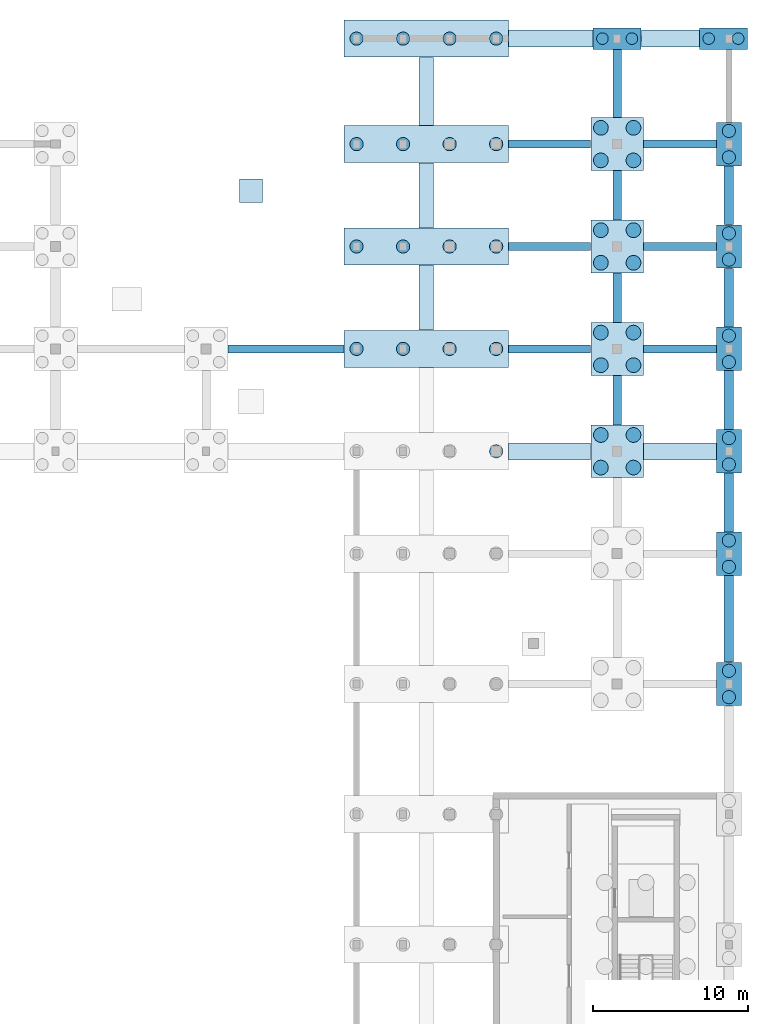
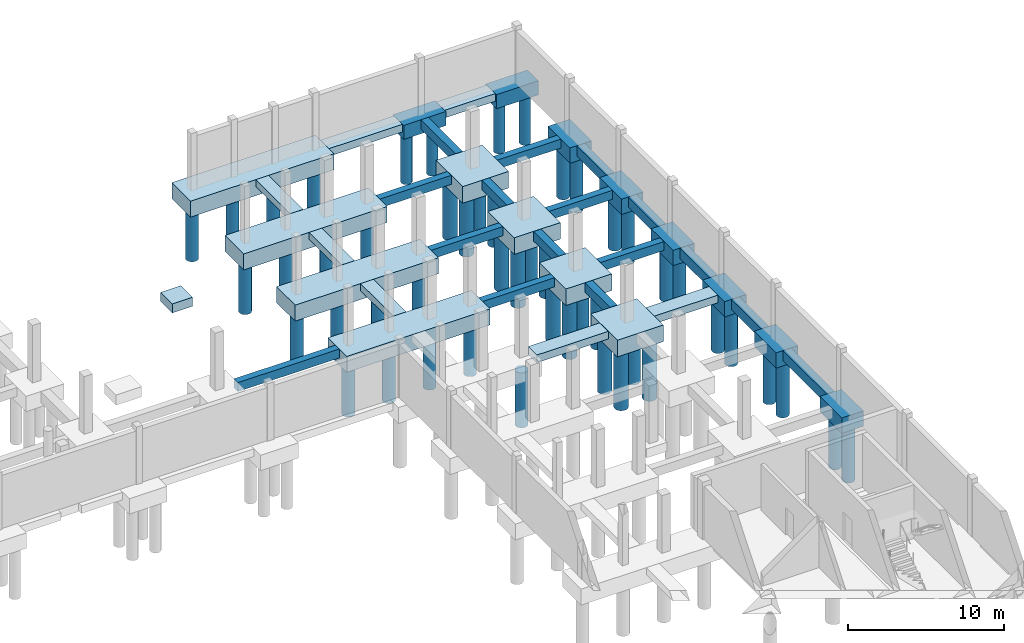
# One storey, part 7 of 21: 49 piles, 40 footings.
"""IFC4 building model written with IfcOpenShell, lengths in metres."""

from ifc_helpers import new_model, si_unit, derived_unit, direction, frame, origin, origin_2d, place, context, subcontext, project, spatial, rectangle, circle, extrude, material, material_profile, profile_set, type_object, element, save


model = new_model("IFC4")

# Units and contexts
model_context = context("Model", 3, precision=1e-05, world=origin(), true_north=direction((0.0, 1.0)))
body_context = subcontext(model_context, "Body", "Model", "MODEL_VIEW")
ifc_project = project(units=[si_unit("LENGTHUNIT", "METRE"), si_unit("AREAUNIT", "SQUARE_METRE"), si_unit("VOLUMEUNIT", "CUBIC_METRE"), si_unit("PLANEANGLEUNIT", "RADIAN"), si_unit("MASSUNIT", "GRAM", prefix="KILO"), derived_unit("THERMALTRANSMITTANCEUNIT", [(si_unit("POWERUNIT", "WATT"), 1), (si_unit("LENGTHUNIT", "METRE"), -2), (si_unit("THERMODYNAMICTEMPERATUREUNIT", "KELVIN"), -1)])], contexts=[model_context])

# Site, building, storey
site_placement = place(None, origin())
site = spatial("IfcSite", under=ifc_project, at=site_placement, CompositionType="ELEMENT")
building_placement = place(site_placement, origin())
building = spatial("IfcBuilding", under=site, at=building_placement, Name="Braskholm Square Health Centre", CompositionType="ELEMENT")
storey_placement = place(building_placement, frame((0.0, 0.0, -4.5)))
storey = spatial("IfcBuildingStorey", under=building, at=storey_placement, Name="B01", CompositionType="ELEMENT", Elevation=-4.5)

# Piles
ifc_material = material(Name="Concrete C40/50 (f'c = 40 MPa)", Category="concrete")
ifc_material_profile_1 = material_profile(ifc_material, circle(Radius=0.375, at=origin_2d()), Name="BORED-PILE-750")
ifc_profile_set_1 = profile_set([ifc_material_profile_1], Name="Concrete C40/50 (f'c = 40 MPa)")
pile_type_1 = type_object("IfcPileType", Name="BoredShaft750", PredefinedType="BORED", material=ifc_profile_set_1)
for number, where, z_axis, x_axis, name in (
    (1, (155.64990234375, 113.800048828125, -1.0), (0.0, 0.0, -1.0), (1.0, 0.0, 0.0), "Rock-socketed shaft 0453"),
    (2, (157.550048828125, 113.800048828125, -1.0), (0.0, 0.0, -1.0), (1.0, 0.0, 0.0), "Rock-socketed shaft 0454"),
    (3, (162.5, 113.800048828125, -1.0), (0.0, 0.0, -1.0), (1.0, 0.0, 0.0), "Rock-socketed shaft 0487"),
    (4, (164.39990234375, 113.800048828125, -1.0), (0.0, 0.0, -1.0), (1.0, 0.0, 0.0), "Rock-socketed shaft 0488"),
):
    element("IfcPile", number, at=place(storey_placement, frame(where, z_axis=z_axis, x_axis=x_axis)), inside=storey, type_object=pile_type_1, Name=name, PredefinedType="BORED", context=body_context, shape_type="SweptSolid", body=[
        extrude(circle(Radius=0.375, at=origin_2d()), origin(), (0.0, 0.0, 1.0), 4.0),
    ])
ifc_material_profile_2 = material_profile(ifc_material, circle(Radius=0.425048828125, at=origin_2d()), Name="BORED-PILE-850")
ifc_profile_set_2 = profile_set([ifc_material_profile_2], Name="Concrete C40/50 (f'c = 40 MPa)")
pile_type_2 = type_object("IfcPileType", Name="BoredShaft850", PredefinedType="BORED", material=ifc_profile_set_2)
for number, where, z_axis, x_axis, name in (
    (5, (148.800048828125, 87.199951171875, -1.14990234375), (0.0, 0.0, -1.0), (1.0, 0.0, 0.0), "Rock-socketed shaft 0152"),
    (6, (139.800048828125, 93.800048828125, -1.14990234375), (0.0, 0.0, -1.0), (1.0, 0.0, 0.0), "Rock-socketed shaft 0153"),
    (7, (142.800048828125, 93.800048828125, -1.14990234375), (0.0, 0.0, -1.0), (1.0, 0.0, 0.0), "Rock-socketed shaft 0154"),
    (8, (145.800048828125, 93.800048828125, -1.14990234375), (0.0, 0.0, -1.0), (1.0, 0.0, 0.0), "Rock-socketed shaft 0155"),
    (9, (148.800048828125, 93.800048828125, -1.14990234375), (0.0, 0.0, -1.0), (1.0, 0.0, 0.0), "Rock-socketed shaft 0156"),
    (10, (139.800048828125, 100.39990234375, -1.14990234375), (0.0, 0.0, -1.0), (1.0, 0.0, 0.0), "Rock-socketed shaft 0157"),
    (11, (142.800048828125, 100.39990234375, -1.14990234375), (0.0, 0.0, -1.0), (1.0, 0.0, 0.0), "Rock-socketed shaft 0158"),
    (12, (145.800048828125, 100.39990234375, -1.14990234375), (0.0, 0.0, -1.0), (1.0, 0.0, 0.0), "Rock-socketed shaft 0159"),
    (13, (148.800048828125, 100.39990234375, -1.14990234375), (0.0, 0.0, -1.0), (1.0, 0.0, 0.0), "Rock-socketed shaft 0160"),
    (14, (139.800048828125, 107.0, -1.14990234375), (0.0, 0.0, -1.0), (1.0, 0.0, 0.0), "Rock-socketed shaft 0161"),
    (15, (142.800048828125, 107.0, -1.14990234375), (0.0, 0.0, -1.0), (1.0, 0.0, 0.0), "Rock-socketed shaft 0162"),
    (16, (145.800048828125, 107.0, -1.14990234375), (0.0, 0.0, -1.0), (1.0, 0.0, 0.0), "Rock-socketed shaft 0163"),
    (17, (148.800048828125, 107.0, -1.14990234375), (0.0, 0.0, -1.0), (1.0, 0.0, 0.0), "Rock-socketed shaft 0164"),
    (18, (139.800048828125, 113.800048828125, -1.14990234375), (0.0, 0.0, -1.0), (1.0, 0.0, 0.0), "Rock-socketed shaft 0165"),
    (19, (142.800048828125, 113.800048828125, -1.14990234375), (0.0, 0.0, -1.0), (1.0, 0.0, 0.0), "Rock-socketed shaft 0166"),
    (20, (145.800048828125, 113.800048828125, -1.14990234375), (0.0, 0.0, -1.0), (1.0, 0.0, 0.0), "Rock-socketed shaft 0167"),
    (21, (148.800048828125, 113.800048828125, -1.14990234375), (0.0, 0.0, -1.0), (1.0, 0.0, 0.0), "Rock-socketed shaft 0168"),
    (22, (163.800048828125, 71.35009765625, -1.10009765625), (0.0, 0.0, -1.0), (1.0, 0.0, 0.0), "Rock-socketed shaft 0475"),
    (23, (163.800048828125, 73.050048828125, -1.10009765625), (0.0, 0.0, -1.0), (1.0, 0.0, 0.0), "Rock-socketed shaft 0476"),
    (24, (163.800048828125, 79.75, -1.10009765625), (0.0, 0.0, -1.0), (1.0, 0.0, 0.0), "Rock-socketed shaft 0477"),
    (25, (163.800048828125, 81.449951171875, -1.10009765625), (0.0, 0.0, -1.0), (1.0, 0.0, 0.0), "Rock-socketed shaft 0478"),
    (26, (163.800048828125, 86.35009765625, -1.10009765625), (0.0, 0.0, -1.0), (1.0, 0.0, 0.0), "Rock-socketed shaft 0479"),
    (27, (163.800048828125, 88.050048828125, -1.10009765625), (0.0, 0.0, -1.0), (1.0, 0.0, 0.0), "Rock-socketed shaft 0480"),
    (28, (163.800048828125, 92.949951171875, -1.10009765625), (0.0, 0.0, -1.0), (1.0, 0.0, 0.0), "Rock-socketed shaft 0481"),
    (29, (163.800048828125, 94.64990234375, -1.10009765625), (0.0, 0.0, -1.0), (1.0, 0.0, 0.0), "Rock-socketed shaft 0482"),
    (30, (163.800048828125, 99.550048828125, -1.10009765625), (0.0, 0.0, -1.0), (1.0, 0.0, 0.0), "Rock-socketed shaft 0483"),
    (31, (163.800048828125, 101.25, -1.10009765625), (0.0, 0.0, -1.0), (1.0, 0.0, 0.0), "Rock-socketed shaft 0484"),
    (32, (163.800048828125, 106.14990234375, -1.10009765625), (0.0, 0.0, -1.0), (1.0, 0.0, 0.0), "Rock-socketed shaft 0485"),
    (33, (163.800048828125, 107.85009765625, -1.10009765625), (0.0, 0.0, -1.0), (1.0, 0.0, 0.0), "Rock-socketed shaft 0486"),
):
    element("IfcPile", number, at=place(storey_placement, frame(where, z_axis=z_axis, x_axis=x_axis)), inside=storey, type_object=pile_type_2, Name=name, PredefinedType="BORED", context=body_context, shape_type="SweptSolid", body=[
        extrude(circle(Radius=0.425048828125, at=origin_2d()), origin(), (0.0, 0.0, 1.0), 4.300048828125),
    ])
ifc_material_profile_3 = material_profile(ifc_material, circle(Radius=0.47509765625, at=origin_2d()), Name="BORED-PILE-950")
ifc_profile_set_3 = profile_set([ifc_material_profile_3], Name="Concrete C40/50 (f'c = 40 MPa)")
pile_type_3 = type_object("IfcPileType", Name="BoredShaft950", PredefinedType="BORED", material=ifc_profile_set_3)
for number, where, z_axis, x_axis, name in (
    (34, (155.550048828125, 86.14990234375, -1.199951171875), (0.0, 0.0, -1.0), (1.0, 0.0, 0.0), "Rock-socketed shaft 0437"),
    (35, (157.64990234375, 86.14990234375, -1.199951171875), (0.0, 0.0, -1.0), (1.0, 0.0, 0.0), "Rock-socketed shaft 0438"),
    (36, (155.550048828125, 88.25, -1.199951171875), (0.0, 0.0, -1.0), (1.0, 0.0, 0.0), "Rock-socketed shaft 0439"),
    (37, (157.64990234375, 88.25, -1.199951171875), (0.0, 0.0, -1.0), (1.0, 0.0, 0.0), "Rock-socketed shaft 0440"),
    (38, (155.550048828125, 92.75, -1.199951171875), (0.0, 0.0, -1.0), (1.0, 0.0, 0.0), "Rock-socketed shaft 0441"),
    (39, (157.64990234375, 92.75, -1.199951171875), (0.0, 0.0, -1.0), (1.0, 0.0, 0.0), "Rock-socketed shaft 0442"),
    (40, (155.550048828125, 94.85009765625, -1.199951171875), (0.0, 0.0, -1.0), (1.0, 0.0, 0.0), "Rock-socketed shaft 0443"),
    (41, (157.64990234375, 94.85009765625, -1.199951171875), (0.0, 0.0, -1.0), (1.0, 0.0, 0.0), "Rock-socketed shaft 0444"),
    (42, (155.550048828125, 99.35009765625, -1.199951171875), (0.0, 0.0, -1.0), (1.0, 0.0, 0.0), "Rock-socketed shaft 0445"),
    (43, (157.64990234375, 99.35009765625, -1.199951171875), (0.0, 0.0, -1.0), (1.0, 0.0, 0.0), "Rock-socketed shaft 0446"),
    (44, (155.550048828125, 101.449951171875, -1.199951171875), (0.0, 0.0, -1.0), (1.0, 0.0, 0.0), "Rock-socketed shaft 0447"),
    (45, (157.64990234375, 101.449951171875, -1.199951171875), (0.0, 0.0, -1.0), (1.0, 0.0, 0.0), "Rock-socketed shaft 0448"),
    (46, (155.550048828125, 105.949951171875, -1.199951171875), (0.0, 0.0, -1.0), (1.0, 0.0, 0.0), "Rock-socketed shaft 0449"),
    (47, (157.64990234375, 105.949951171875, -1.199951171875), (0.0, 0.0, -1.0), (1.0, 0.0, 0.0), "Rock-socketed shaft 0450"),
    (48, (155.550048828125, 108.050048828125, -1.199951171875), (0.0, 0.0, -1.0), (1.0, 0.0, 0.0), "Rock-socketed shaft 0451"),
    (49, (157.64990234375, 108.050048828125, -1.199951171875), (0.0, 0.0, -1.0), (1.0, 0.0, 0.0), "Rock-socketed shaft 0452"),
):
    element("IfcPile", number, at=place(storey_placement, frame(where, z_axis=z_axis, x_axis=x_axis)), inside=storey, type_object=pile_type_3, Name=name, PredefinedType="BORED", context=body_context, shape_type="SweptSolid", body=[
        extrude(circle(Radius=0.47509765625, at=origin_2d()), origin(), (0.0, 0.0, 1.0), 4.60009765625),
    ])

# Footings
ifc_material_profile_4 = material_profile(ifc_material, rectangle(XDim=0.60009765625, YDim=0.800048828125, at=origin_2d()), Name="FTG-600X800")
ifc_profile_set_4 = profile_set([ifc_material_profile_4], Name="Concrete C40/50 (f'c = 40 MPa)")
footing_type_1 = type_object("IfcFootingType", Name="GradeBeamFrost600x800", PredefinedType="FOOTING_BEAM", material=ifc_profile_set_4)
footing_1_placement = place(storey_placement, frame((163.800048828125, 73.60498046875, -0.39990234375), z_axis=(0.0, 1.0, 0.0), x_axis=(-1.0, 0.0, 0.0)))
element("IfcFooting", 50, at=footing_1_placement, inside=storey, type_object=footing_type_1, Name="Foundation tie beam 0110", PredefinedType="FOOTING_BEAM", context=body_context, shape_type="SweptSolid", body=[
    extrude(rectangle(XDim=0.60009765625, YDim=0.800048828125, at=origin_2d()), origin(), (0.0, 0.0, 1.0), 5.590087890625),
])
for number, where, z_axis, x_axis, name in (
    (51, (163.800048828125, 82.0048828125, -0.39990234375), (0.0, 1.0, 0.0), (-1.0, 0.0, 0.0), "Foundation tie beam 0111"),
    (52, (163.800048828125, 88.60498046875, -0.39990234375), (0.0, 1.0, 0.0), (-1.0, 0.0, 0.0), "Foundation tie beam 0112"),
    (53, (163.800048828125, 95.205078125, -0.39990234375), (0.0, 1.0, 0.0), (-1.0, 0.0, 0.0), "Foundation tie beam 0113"),
    (54, (163.800048828125, 101.804931640625, -0.39990234375), (0.0, 1.0, 0.0), (-1.0, 0.0, 0.0), "Foundation tie beam 0114"),
):
    element("IfcFooting", number, at=place(storey_placement, frame(where, z_axis=z_axis, x_axis=x_axis)), inside=storey, type_object=footing_type_1, Name=name, PredefinedType="FOOTING_BEAM", context=body_context, shape_type="SweptSolid", body=[
        extrude(rectangle(XDim=0.60009765625, YDim=0.800048828125, at=origin_2d()), origin(), (0.0, 0.0, 1.0), 3.7900390625),
    ])
ifc_material_profile_5 = material_profile(ifc_material, rectangle(XDim=0.5, YDim=0.699951171875, at=origin_2d()), Name="FTG-500X700")
ifc_profile_set_5 = profile_set([ifc_material_profile_5], Name="Concrete C40/50 (f'c = 40 MPa)")
footing_type_2 = type_object("IfcFootingType", Name="GradeBeamTie500x700", PredefinedType="FOOTING_BEAM", material=ifc_profile_set_5)
footing_2_placement = place(storey_placement, frame((131.5048828125, 93.800048828125, -0.35009765625), z_axis=(1.0, 0.0, 0.0), x_axis=(0.0, 1.0, 0.0)))
element("IfcFooting", 55, at=footing_2_placement, inside=storey, type_object=footing_type_2, Name="Foundation tie beam 0185", PredefinedType="FOOTING_BEAM", context=body_context, shape_type="SweptSolid", body=[
    extrude(rectangle(XDim=0.5, YDim=0.699951171875, at=origin_2d()), origin(), (0.0, 0.0, 1.0), 7.490234375),
])
footing_3_placement = place(storey_placement, frame((149.60498046875, 93.800048828125, -0.35009765625), z_axis=(1.0, 0.0, 0.0), x_axis=(0.0, 1.0, 0.0)))
element("IfcFooting", 56, at=footing_3_placement, inside=storey, type_object=footing_type_2, Name="Foundation tie beam 0186", PredefinedType="FOOTING_BEAM", context=body_context, shape_type="SweptSolid", body=[
    extrude(rectangle(XDim=0.5, YDim=0.699951171875, at=origin_2d()), origin(), (0.0, 0.0, 1.0), 5.2900390625),
])
footing_4_placement = place(storey_placement, frame((158.304931640625, 93.800048828125, -0.35009765625), z_axis=(1.0, 0.0, 0.0), x_axis=(0.0, 1.0, 0.0)))
element("IfcFooting", 57, at=footing_4_placement, inside=storey, type_object=footing_type_2, Name="Foundation tie beam 0187", PredefinedType="FOOTING_BEAM", context=body_context, shape_type="SweptSolid", body=[
    extrude(rectangle(XDim=0.5, YDim=0.699951171875, at=origin_2d()), origin(), (0.0, 0.0, 1.0), 4.690185546875),
])
footing_5_placement = place(storey_placement, frame((149.60498046875, 100.39990234375, -0.35009765625), z_axis=(1.0, 0.0, 0.0), x_axis=(0.0, 1.0, 0.0)))
element("IfcFooting", 58, at=footing_5_placement, inside=storey, type_object=footing_type_2, Name="Foundation tie beam 0197", PredefinedType="FOOTING_BEAM", context=body_context, shape_type="SweptSolid", body=[
    extrude(rectangle(XDim=0.5, YDim=0.699951171875, at=origin_2d()), origin(), (0.0, 0.0, 1.0), 5.2900390625),
])
footing_6_placement = place(storey_placement, frame((158.304931640625, 100.39990234375, -0.35009765625), z_axis=(1.0, 0.0, 0.0), x_axis=(0.0, 1.0, 0.0)))
element("IfcFooting", 59, at=footing_6_placement, inside=storey, type_object=footing_type_2, Name="Foundation tie beam 0198", PredefinedType="FOOTING_BEAM", context=body_context, shape_type="SweptSolid", body=[
    extrude(rectangle(XDim=0.5, YDim=0.699951171875, at=origin_2d()), origin(), (0.0, 0.0, 1.0), 4.690185546875),
])
footing_7_placement = place(storey_placement, frame((149.60498046875, 107.0, -0.35009765625), z_axis=(1.0, 0.0, 0.0), x_axis=(0.0, 1.0, 0.0)))
element("IfcFooting", 60, at=footing_7_placement, inside=storey, type_object=footing_type_2, Name="Foundation tie beam 0211", PredefinedType="FOOTING_BEAM", context=body_context, shape_type="SweptSolid", body=[
    extrude(rectangle(XDim=0.5, YDim=0.699951171875, at=origin_2d()), origin(), (0.0, 0.0, 1.0), 5.2900390625),
])
footing_8_placement = place(storey_placement, frame((158.304931640625, 107.0, -0.35009765625), z_axis=(1.0, 0.0, 0.0), x_axis=(0.0, 1.0, 0.0)))
element("IfcFooting", 61, at=footing_8_placement, inside=storey, type_object=footing_type_2, Name="Foundation tie beam 0212", PredefinedType="FOOTING_BEAM", context=body_context, shape_type="SweptSolid", body=[
    extrude(rectangle(XDim=0.5, YDim=0.699951171875, at=origin_2d()), origin(), (0.0, 0.0, 1.0), 4.690185546875),
])
ifc_material_profile_6 = material_profile(ifc_material, rectangle(XDim=0.550048828125, YDim=0.75, at=origin_2d()), Name="FTG-550X750")
ifc_profile_set_6 = profile_set([ifc_material_profile_6], Name="Concrete C40/50 (f'c = 40 MPa)")
footing_type_3 = type_object("IfcFootingType", Name="GradeBeamTie550x750", PredefinedType="FOOTING_BEAM", material=ifc_profile_set_6)
footing_9_placement = place(storey_placement, frame((156.60009765625, 88.905029296875, -0.375), z_axis=(0.0, 1.0, 0.0), x_axis=(-1.0, 0.0, 0.0)))
element("IfcFooting", 62, at=footing_9_placement, inside=storey, type_object=footing_type_3, Name="Foundation tie beam 0097", PredefinedType="FOOTING_BEAM", context=body_context, shape_type="SweptSolid", body=[
    extrude(rectangle(XDim=0.550048828125, YDim=0.75, at=origin_2d()), origin(), (0.0, 0.0, 1.0), 3.18994140625),
])
footing_10_placement = place(storey_placement, frame((156.60009765625, 95.5048828125, -0.375), z_axis=(0.0, 1.0, 0.0), x_axis=(-1.0, 0.0, 0.0)))
element("IfcFooting", 63, at=footing_10_placement, inside=storey, type_object=footing_type_3, Name="Foundation tie beam 0098", PredefinedType="FOOTING_BEAM", context=body_context, shape_type="SweptSolid", body=[
    extrude(rectangle(XDim=0.550048828125, YDim=0.75, at=origin_2d()), origin(), (0.0, 0.0, 1.0), 3.190185546875),
])
footing_11_placement = place(storey_placement, frame((156.60009765625, 102.10498046875, -0.375), z_axis=(0.0, 1.0, 0.0), x_axis=(-1.0, 0.0, 0.0)))
element("IfcFooting", 64, at=footing_11_placement, inside=storey, type_object=footing_type_3, Name="Foundation tie beam 0099", PredefinedType="FOOTING_BEAM", context=body_context, shape_type="SweptSolid", body=[
    extrude(rectangle(XDim=0.550048828125, YDim=0.75, at=origin_2d()), origin(), (0.0, 0.0, 1.0), 3.18994140625),
])
footing_12_placement = place(storey_placement, frame((156.60009765625, 108.705078125, -0.375), z_axis=(0.0, 1.0, 0.0), x_axis=(-1.0, 0.0, 0.0)))
element("IfcFooting", 65, at=footing_12_placement, inside=storey, type_object=footing_type_3, Name="Foundation tie beam 0100", PredefinedType="FOOTING_BEAM", context=body_context, shape_type="SweptSolid", body=[
    extrude(rectangle(XDim=0.550048828125, YDim=0.75, at=origin_2d()), origin(), (0.0, 0.0, 1.0), 4.389892578125),
])
footing_type_4 = type_object("IfcFootingType", Name="PadFootingScreen1500x1500", PredefinedType="PAD_FOOTING", material=ifc_material)
footing_13_placement = place(storey_placement, frame((133.0, 104.0, -0.7001953125), z_axis=(0.0, 0.0, 1.0), x_axis=(1.0, 0.0, 0.0)))
element("IfcFooting", 66, at=footing_13_placement, inside=storey, type_object=footing_type_4, Name="Frost-depth pad footing 012", PredefinedType="PAD_FOOTING", context=body_context, shape_type="SweptSolid", body=[
    extrude(rectangle(XDim=1.5, YDim=1.5, at=origin_2d()), origin(), (0.0, 0.0, 1.0), 0.699951171875),
])
footing_type_5 = type_object("IfcFootingType", Name="PileCap2Pile2800x1600", PredefinedType="PILE_CAP", material=ifc_material)
for number, where, z_axis, x_axis, name in (
    (67, (163.800048828125, 72.199951171875, -1.2001953125), (0.0, 0.0, 1.0), (0.0, 1.0, 0.0), "Column pile cap FTG-PC-0136 at 22/L"),
    (68, (163.800048828125, 80.60009765625, -1.2001953125), (0.0, 0.0, 1.0), (0.0, 1.0, 0.0), "Column pile cap FTG-PC-0137 at 22/M"),
    (69, (163.800048828125, 87.199951171875, -1.2001953125), (0.0, 0.0, 1.0), (0.0, 1.0, 0.0), "Column pile cap FTG-PC-0138 at 22/N"),
    (70, (163.800048828125, 93.800048828125, -1.2001953125), (0.0, 0.0, 1.0), (0.0, 1.0, 0.0), "Column pile cap FTG-PC-0139 at 22/P"),
    (71, (163.800048828125, 100.39990234375, -1.2001953125), (0.0, 0.0, 1.0), (0.0, 1.0, 0.0), "Column pile cap FTG-PC-0140 at 22/Q"),
    (72, (163.800048828125, 107.0, -1.2001953125), (0.0, 0.0, 1.0), (0.0, 1.0, 0.0), "Column pile cap FTG-PC-0141 at 22/R"),
):
    element("IfcFooting", number, at=place(storey_placement, frame(where, z_axis=z_axis, x_axis=x_axis)), inside=storey, type_object=footing_type_5, Name=name, PredefinedType="PILE_CAP", context=body_context, shape_type="SweptSolid", body=[
        extrude(rectangle(XDim=2.800048828125, YDim=1.60009765625, at=origin_2d()), origin(), (0.0, 0.0, 1.0), 1.199951171875),
    ])
footing_type_6 = type_object("IfcFootingType", Name="PileCap2Pile3100x1400", PredefinedType="PILE_CAP", material=ifc_material)
for number, where, z_axis, x_axis, name in (
    (73, (156.60009765625, 113.800048828125, -1.10009765625), (0.0, 0.0, 1.0), (1.0, 0.0, 0.0), "Column pile cap FTG-PC-0125 at 21/S"),
    (74, (163.449951171875, 113.800048828125, -1.10009765625), (0.0, 0.0, 1.0), (1.0, 0.0, 0.0), "Column pile cap FTG-PC-0142 at 22/S"),
):
    element("IfcFooting", number, at=place(storey_placement, frame(where, z_axis=z_axis, x_axis=x_axis)), inside=storey, type_object=footing_type_6, Name=name, PredefinedType="PILE_CAP", context=body_context, shape_type="SweptSolid", body=[
        extrude(rectangle(XDim=3.10009765625, YDim=1.39990234375, at=origin_2d()), origin(), (0.0, 0.0, 1.0), 1.10009765625),
    ])
footing_type_7 = type_object("IfcFootingType", Name="PileCap4Pile3400x3400", PredefinedType="PILE_CAP", material=ifc_material)
for number, where, z_axis, x_axis, name in (
    (75, (156.60009765625, 87.199951171875, -1.2998046875), (0.0, 0.0, 1.0), (1.0, 0.0, 0.0), "Column pile cap FTG-PC-0121 at 21/N"),
    (76, (156.60009765625, 93.800048828125, -1.2998046875), (0.0, 0.0, 1.0), (1.0, 0.0, 0.0), "Column pile cap FTG-PC-0122 at 21/P"),
    (77, (156.60009765625, 100.39990234375, -1.2998046875), (0.0, 0.0, 1.0), (1.0, 0.0, 0.0), "Column pile cap FTG-PC-0123 at 21/Q"),
    (78, (156.60009765625, 107.0, -1.2998046875), (0.0, 0.0, 1.0), (1.0, 0.0, 0.0), "Column pile cap FTG-PC-0124 at 21/R"),
):
    element("IfcFooting", number, at=place(storey_placement, frame(where, z_axis=z_axis, x_axis=x_axis)), inside=storey, type_object=footing_type_7, Name=name, PredefinedType="PILE_CAP", context=body_context, shape_type="SweptSolid", body=[
        extrude(rectangle(XDim=3.39990234375, YDim=3.39990234375, at=origin_2d()), origin(), (0.0, 0.0, 1.0), 1.300048828125),
    ])
footing_type_8 = type_object("IfcFootingType", Name="PileCap4PileStep10600x2400", PredefinedType="PILE_CAP", material=ifc_material)
for number, where, z_axis, x_axis, name in (
    (79, (144.300048828125, 93.800048828125, -1.25), (0.0, 0.0, 1.0), (1.0, 0.0, 0.0), "Combined step pile cap FTG-PC-0035"),
    (80, (144.300048828125, 100.39990234375, -1.25), (0.0, 0.0, 1.0), (1.0, 0.0, 0.0), "Combined step pile cap FTG-PC-0036"),
    (81, (144.300048828125, 107.0, -1.25), (0.0, 0.0, 1.0), (1.0, 0.0, 0.0), "Combined step pile cap FTG-PC-0037"),
    (82, (144.300048828125, 113.800048828125, -1.25), (0.0, 0.0, 1.0), (1.0, 0.0, 0.0), "Combined step pile cap FTG-PC-0038"),
):
    element("IfcFooting", number, at=place(storey_placement, frame(where, z_axis=z_axis, x_axis=x_axis)), inside=storey, type_object=footing_type_8, Name=name, PredefinedType="PILE_CAP", context=body_context, shape_type="SweptSolid", body=[
        extrude(rectangle(XDim=10.60009765625, YDim=2.39990234375, at=origin_2d()), origin(), (0.0, 0.0, 1.0), 1.25),
    ])
ifc_material_profile_7 = material_profile(ifc_material, rectangle(XDim=0.949951171875, YDim=0.550048828125, at=origin_2d()), Name="FTG-950X550")
ifc_profile_set_7 = profile_set([ifc_material_profile_7], Name="Concrete C40/50 (f'c = 40 MPa)")
footing_type_9 = type_object("IfcFootingType", Name="StripFootingColonnade950x550", PredefinedType="STRIP_FOOTING", material=ifc_profile_set_7)
footing_14_placement = place(storey_placement, frame((144.300048828125, 95.0048828125, -0.27490234375), z_axis=(0.0, 1.0, 0.0), x_axis=(-1.0, 0.0, 0.0)))
element("IfcFooting", 83, at=footing_14_placement, inside=storey, type_object=footing_type_9, Name="Foundation tie beam 0085", PredefinedType="STRIP_FOOTING", context=body_context, shape_type="SweptSolid", body=[
    extrude(rectangle(XDim=0.949951171875, YDim=0.550048828125, at=origin_2d()), origin(), (0.0, 0.0, 1.0), 4.190185546875),
])
footing_15_placement = place(storey_placement, frame((144.300048828125, 101.60498046875, -0.27490234375), z_axis=(0.0, 1.0, 0.0), x_axis=(-1.0, 0.0, 0.0)))
element("IfcFooting", 84, at=footing_15_placement, inside=storey, type_object=footing_type_9, Name="Foundation tie beam 0086", PredefinedType="STRIP_FOOTING", context=body_context, shape_type="SweptSolid", body=[
    extrude(rectangle(XDim=0.949951171875, YDim=0.550048828125, at=origin_2d()), origin(), (0.0, 0.0, 1.0), 4.18994140625),
])
footing_16_placement = place(storey_placement, frame((144.300048828125, 108.205078125, -0.27490234375), z_axis=(0.0, 1.0, 0.0), x_axis=(-1.0, 0.0, 0.0)))
element("IfcFooting", 85, at=footing_16_placement, inside=storey, type_object=footing_type_9, Name="Foundation tie beam 0087", PredefinedType="STRIP_FOOTING", context=body_context, shape_type="SweptSolid", body=[
    extrude(rectangle(XDim=0.949951171875, YDim=0.550048828125, at=origin_2d()), origin(), (0.0, 0.0, 1.0), 4.389892578125),
])
ifc_material_profile_8 = material_profile(ifc_material, rectangle(XDim=1.10009765625, YDim=0.60009765625, at=origin_2d()), Name="FTG-1100X600")
ifc_profile_set_8 = profile_set([ifc_material_profile_8], Name="Concrete C40/50 (f'c = 40 MPa)")
footing_type_10 = type_object("IfcFootingType", Name="StripFootingWall1100x600", PredefinedType="STRIP_FOOTING", material=ifc_profile_set_8)
footing_17_placement = place(storey_placement, frame((149.60498046875, 87.199951171875, -0.300048828125), z_axis=(1.0, 0.0, 0.0), x_axis=(0.0, 1.0, 0.0)))
element("IfcFooting", 86, at=footing_17_placement, inside=storey, type_object=footing_type_10, Name="Foundation tie beam 0173", PredefinedType="STRIP_FOOTING", context=body_context, shape_type="SweptSolid", body=[
    extrude(rectangle(XDim=1.10009765625, YDim=0.60009765625, at=origin_2d()), origin(), (0.0, 0.0, 1.0), 5.2900390625),
])
footing_18_placement = place(storey_placement, frame((158.304931640625, 87.199951171875, -0.300048828125), z_axis=(1.0, 0.0, 0.0), x_axis=(0.0, 1.0, 0.0)))
element("IfcFooting", 87, at=footing_18_placement, inside=storey, type_object=footing_type_10, Name="Foundation tie beam 0174", PredefinedType="STRIP_FOOTING", context=body_context, shape_type="SweptSolid", body=[
    extrude(rectangle(XDim=1.10009765625, YDim=0.60009765625, at=origin_2d()), origin(), (0.0, 0.0, 1.0), 4.690185546875),
])
footing_19_placement = place(storey_placement, frame((149.60498046875, 113.800048828125, -0.300048828125), z_axis=(1.0, 0.0, 0.0), x_axis=(0.0, 1.0, 0.0)))
element("IfcFooting", 88, at=footing_19_placement, inside=storey, type_object=footing_type_10, Name="Foundation tie beam 0220", PredefinedType="STRIP_FOOTING", context=body_context, shape_type="SweptSolid", body=[
    extrude(rectangle(XDim=1.10009765625, YDim=0.60009765625, at=origin_2d()), origin(), (0.0, 0.0, 1.0), 5.43994140625),
])
footing_20_placement = place(storey_placement, frame((158.155029296875, 113.800048828125, -0.300048828125), z_axis=(1.0, 0.0, 0.0), x_axis=(0.0, 1.0, 0.0)))
element("IfcFooting", 89, at=footing_20_placement, inside=storey, type_object=footing_type_10, Name="Foundation tie beam 0221", PredefinedType="STRIP_FOOTING", context=body_context, shape_type="SweptSolid", body=[
    extrude(rectangle(XDim=1.10009765625, YDim=0.60009765625, at=origin_2d()), origin(), (0.0, 0.0, 1.0), 3.739990234375),
])

save(model, "model.ifc")
